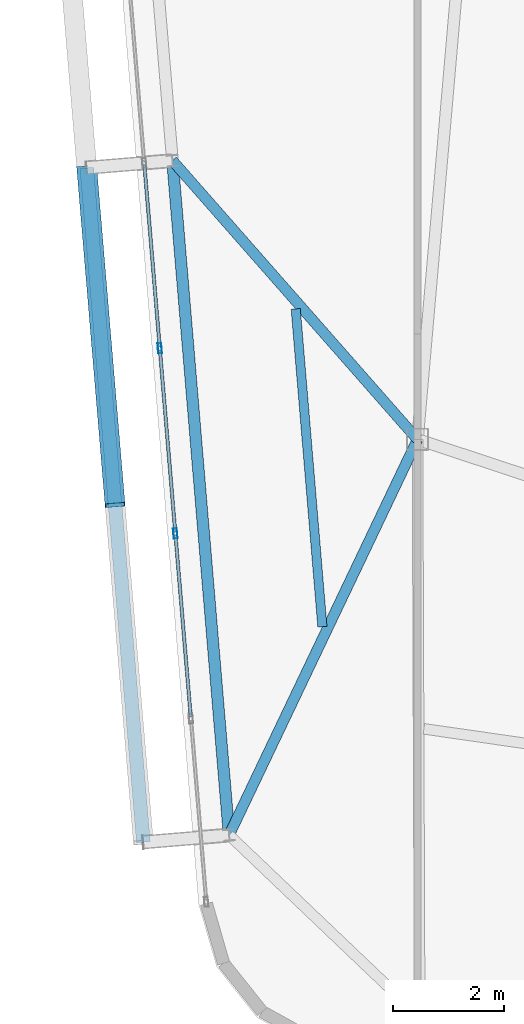
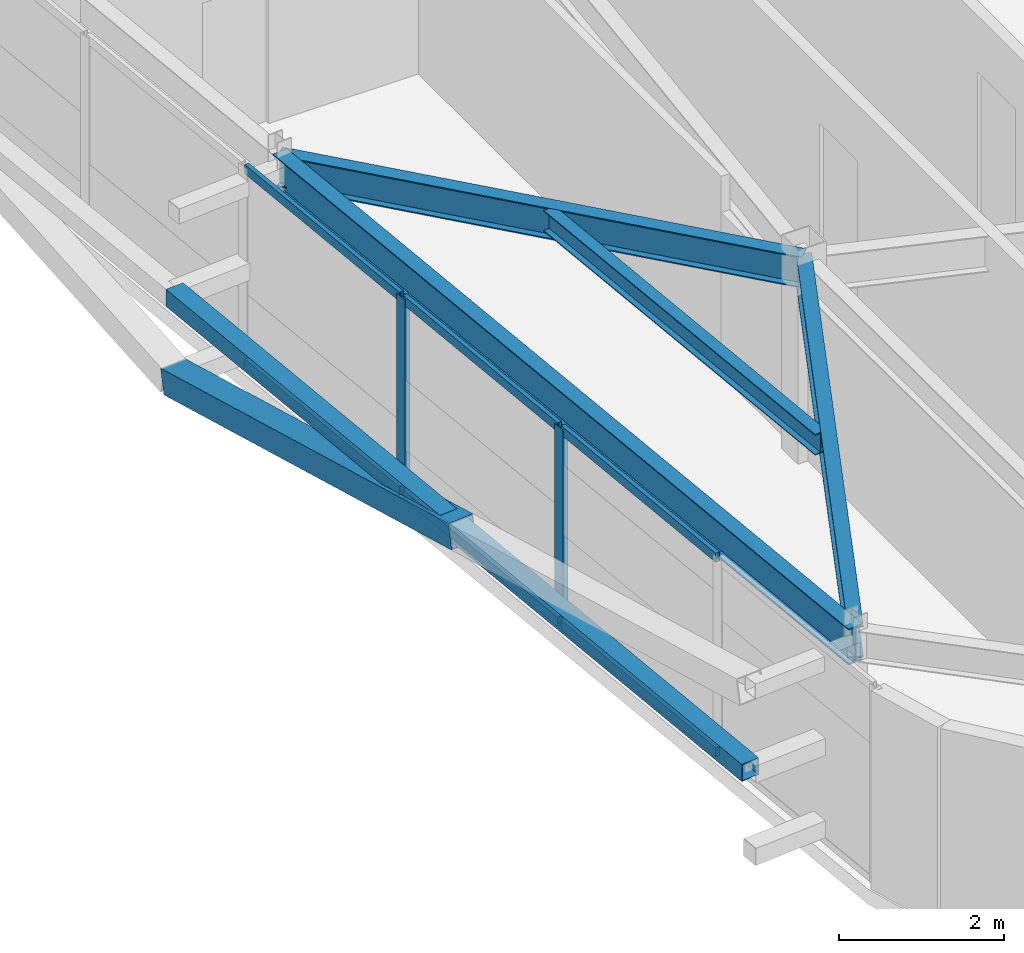
# One storey, part 9 of 46: 10 members, 4 beams, 1 element without a shape of its own.
"""IFC4 building model written with IfcOpenShell, lengths in metres."""

from ifc_helpers import new_model, si_unit, direction, frame, origin, origin_2d, place, context, subcontext, project, spatial, hollow_rectangle, i_section, extrude, source, transform, mapped, material, layer, layer_set, material_profile, profile_set, type_object, element, aggregate, save


model = new_model("IFC4")

# Units and contexts
model_context = context("Model", 3, precision=1e-05, world=origin(), true_north=direction((0.0, 1.0)))
body_context = subcontext(model_context, "Body", "Model", "MODEL_VIEW")
ifc_project = project(units=[si_unit("LENGTHUNIT", "METRE"), si_unit("AREAUNIT", "SQUARE_METRE"), si_unit("VOLUMEUNIT", "CUBIC_METRE"), si_unit("PLANEANGLEUNIT", "RADIAN"), si_unit("MASSUNIT", "GRAM", prefix="KILO")], contexts=[model_context])

# Site, building, storey
site_placement = place(None, origin())
site = spatial("IfcSite", under=ifc_project, at=site_placement, CompositionType="ELEMENT")
building_placement = place(site_placement, origin())
building = spatial("IfcBuilding", under=site, at=building_placement, Name="Taldren Reach Tower", CompositionType="ELEMENT")
storey_placement = place(building_placement, frame((0.0, 0.0, 194.60009765625)))
storey = spatial("IfcBuildingStorey", under=building, at=storey_placement, Name="L59", CompositionType="ELEMENT", Elevation=194.60009765625)

# Beams
ifc_material_1 = material(Name="Steel Gr 350 (350PLUS)", Category="steel")
ifc_material_profile_1 = material_profile(ifc_material_1, i_section(OverallWidth=0.208984375, OverallDepth=0.528076171875, WebThickness=0.009521484375, FlangeThickness=0.01318359375, at=origin_2d()), Name="530UB82.0")
ifc_profile_set_1 = profile_set([ifc_material_profile_1], Name="Steel Gr 350 (350PLUS)")
beam_type_1 = type_object("IfcBeamType", Name="SP-UB530B", PredefinedType="SPANDREL", material=ifc_profile_set_1)
shared_shape_1 = source(origin(), body_context, "Body", "SweptSolid", [
    extrude(i_section(OverallWidth=0.208984375, OverallDepth=0.528076171875, WebThickness=0.009521484375, FlangeThickness=0.01318359375, at=origin_2d()), origin(), (0.0, 0.0, 1.0), 12.199951171875),
])
beam_1_placement = place(storey_placement, frame((13.582763671875, 17.525146484375, 2.666015625), z_axis=(0.083688038336, -0.996492003099, 0.0), x_axis=(0.996492003099, 0.083688038336, 0.0)))
element("IfcBeam", 1, at=beam_1_placement, inside=storey, type_object=beam_type_1, Name="Perimeter spandrel B4 W2-W1 L59", PredefinedType="SPANDREL", context=body_context, shape_type="MappedRepresentation", body=[
    mapped(shared_shape_1, transform((0.0, 0.0, 0.0), scale=1.0)),
])
ifc_material_profile_2 = material_profile(ifc_material_1, i_section(OverallWidth=0.19091796875, OverallDepth=0.4599609375, WebThickness=0.010009765625, FlangeThickness=0.01611328125, at=origin_2d()), Name="460UB82.1")
ifc_profile_set_2 = profile_set([ifc_material_profile_2], Name="Steel Gr 350 (350PLUS)")
beam_type_2 = type_object("IfcBeamType", Name="BM-UB460A", PredefinedType="BEAM", material=ifc_profile_set_2)
shared_shape_2 = source(origin(), body_context, "Body", "SweptSolid", [
    extrude(i_section(OverallWidth=0.19091796875, OverallDepth=0.4599609375, WebThickness=0.010009765625, FlangeThickness=0.01611328125, at=origin_2d()), origin(), (0.0, 0.0, 1.0), 6.690673828125),
])
beam_2_placement = place(storey_placement, frame((18.0, 12.5, 2.699951171875), z_axis=(-0.660215677485, 0.751076067521, 0.0), x_axis=(-0.751076067521, -0.660215677485, 0.0)))
element("IfcBeam", 2, at=beam_2_placement, inside=storey, type_object=beam_type_2, Name="Primary floor girder B4-W2 L59", PredefinedType="BEAM", context=body_context, shape_type="MappedRepresentation", body=[
    mapped(shared_shape_2, transform((0.0, 0.0, 0.0), scale=1.0)),
])
shared_shape_3 = source(origin(), body_context, "Body", "SweptSolid", [
    extrude(i_section(OverallWidth=0.19091796875, OverallDepth=0.4599609375, WebThickness=0.010009765625, FlangeThickness=0.01611328125, at=origin_2d()), origin(), (0.0, 0.0, 1.0), 7.8994140625),
])
beam_3_placement = place(storey_placement, frame((18.0, 12.5, 2.699951171875), z_axis=(-0.429934780074, -0.902859947546, 0.0), x_axis=(0.902859947546, -0.429934780074, 0.0)))
element("IfcBeam", 3, at=beam_3_placement, inside=storey, type_object=beam_type_2, Name="Primary floor girder B4-W1 L59", PredefinedType="BEAM", context=body_context, shape_type="MappedRepresentation", body=[
    mapped(shared_shape_3, transform((0.0, 0.0, 0.0), scale=1.0)),
])
ifc_material_2 = material(Name="Steel Gr 300 (300PLUS, 300 MPa)", Category="steel")
ifc_material_profile_3 = material_profile(ifc_material_2, i_section(OverallWidth=0.166015625, OverallDepth=0.306884765625, WebThickness=0.006591796875, FlangeThickness=0.01171875, at=origin_2d()), Name="310UB46.2")
ifc_profile_set_3 = profile_set([ifc_material_profile_3], Name="Steel Gr 300 (300PLUS, 300 MPa)")
beam_type_3 = type_object("IfcBeamType", Name="JS-UB310", PredefinedType="JOIST", material=ifc_profile_set_3)
shared_shape_4 = source(origin(), body_context, "Body", "SweptSolid", [
    extrude(i_section(OverallWidth=0.166015625, OverallDepth=0.306884765625, WebThickness=0.006591796875, FlangeThickness=0.01171875, at=origin_2d()), origin(), (0.0, 0.0, 1.0), 5.750244140625),
])
beam_4_placement = place(storey_placement, frame((16.285888671875, 9.122802734375, 2.7763671875), z_axis=(-0.083642808993, 0.996495800545, 0.0), x_axis=(-0.996495800545, -0.083642808993, 0.0)))
element("IfcBeam", 4, at=beam_4_placement, inside=storey, type_object=beam_type_3, Name="Secondary floor joist B4 J6 L59", PredefinedType="JOIST", context=body_context, shape_type="MappedRepresentation", body=[
    mapped(shared_shape_4, transform((0.0, 0.0, 0.0), scale=1.0)),
])

# Members
ifc_material_3 = material(Name="Steel Gr 350 (C350L0)", Category="steel")
ifc_material_profile_4 = material_profile(ifc_material_3, hollow_rectangle(XDim=0.25, YDim=0.25, WallThickness=0.010009765625, at=origin_2d()), Name="250x250x10.0SHS")
ifc_profile_set_4 = profile_set([ifc_material_profile_4], Name="Steel Gr 350 (C350L0)")
member_type_1 = type_object("IfcMemberType", Name="MB-POST250", PredefinedType="POST", material=ifc_profile_set_4)
shared_shape_5 = source(origin(), body_context, "Body", "SweptSolid", [
    extrude(hollow_rectangle(XDim=0.25, YDim=0.25, WallThickness=0.010009765625, at=origin_2d()), origin(), (0.0, 0.0, 1.0), 12.199951171875),
])
member_1_placement = place(storey_placement, frame((13.05908203125, 5.23828125, 1.434814453125), z_axis=(-0.083688038336, 0.996492003099, 0.0), x_axis=(-0.996492003099, -0.083688038336, 0.0)))
element("IfcMember", 5, at=member_1_placement, inside=storey, type_object=member_type_1, Name="Exoskeleton mid-height ring chord B4-W1 L59", PredefinedType="POST", context=body_context, shape_type="MappedRepresentation", body=[
    mapped(shared_shape_5, transform((0.0, 0.0, 0.0), scale=1.0)),
])
ifc_material_4 = material(Name="Steel Gr 450 (C450L0)", Category="steel")
ifc_material_profile_5 = material_profile(ifc_material_4, hollow_rectangle(XDim=0.360107421875, YDim=0.360107421875, WallThickness=0.0126953125, at=origin_2d()), Name="360x360x12.7SHS")
ifc_profile_set_5 = profile_set([ifc_material_profile_5], Name="Steel Gr 450 (C450L0)")
member_type_2 = type_object("IfcMemberType", Name="MB-EXO356", PredefinedType="BRACE", material=ifc_profile_set_5)
shared_shape_6 = source(origin(), body_context, "Body", "SweptSolid", [
    extrude(hollow_rectangle(XDim=0.360107421875, YDim=0.360107421875, WallThickness=0.0126953125, at=origin_2d()), origin(), (0.0, 0.0, 1.0), 6.2197265625),
])
member_2_placement = place(storey_placement, frame((12.0380859375, 17.3955078125, 0.219970703125), z_axis=(0.082076194186, -0.977299417909, 0.19531857593), x_axis=(0.996492003099, 0.083688038336, 0.0)))
element("IfcMember", 6, at=member_2_placement, inside=storey, type_object=member_type_2, Name="Exoskeleton Diagrid Brace B4-W1 L59", PredefinedType="BRACE", context=body_context, shape_type="MappedRepresentation", body=[
    mapped(shared_shape_6, transform((0.0, 0.0, 0.0), scale=1.0)),
])

# Curtain wall, members
ifc_material_5 = material(Name="Aluminium and Low-E Glass Unitised System", Category="aluminium")
ifc_layer = layer(ifc_material_5, 0.159912109375)
ifc_layer_set = layer_set([ifc_layer], Name="Aluminium and Low-E Glass Unitised System")
curtain_wall_type = type_object("IfcCurtainWallType", Name="CW-SYS-5", PredefinedType="NOTDEFINED", material=ifc_layer_set)
curtain_wall_placement = place(storey_placement, origin())
curtain_wall = element("IfcCurtainWall", 7, at=curtain_wall_placement, inside=storey, type_object=curtain_wall_type, Name="Unitised curtain wall CW-L59-W", PredefinedType="NOTDEFINED")
ifc_material_6 = material(Name="Anodised Aluminium 6063-T6", Category="aluminium")
ifc_material_profile_6 = material_profile(ifc_material_6, hollow_rectangle(XDim=0.070068359375, YDim=0.179931640625, WallThickness=0.00390625, at=origin_2d()), Name="ALU-180x70x4RHS")
ifc_profile_set_6 = profile_set([ifc_material_profile_6], Name="Anodised Aluminium 6063-T6")
member_type_3 = type_object("IfcMemberType", Name="CW-MUL-180", PredefinedType="MULLION", material=ifc_profile_set_6)
shared_shape_7 = source(origin(), body_context, "Body", "SweptSolid", [
    extrude(hollow_rectangle(XDim=0.070068359375, YDim=0.179931640625, WallThickness=0.00390625, at=origin_2d()), origin(), (0.0, 0.0, 1.0), 2.929931640625),
])
member_3_placement = place(storey_placement, frame((13.35498046875, 14.144287109375, 0.0), z_axis=(0.0, 0.0, 1.0), x_axis=(0.996492847789, 0.083677979808, 0.0)))
member_3 = element("IfcMember", 8, at=member_3_placement, type_object=member_type_3, Name="CW-5 mullion 6", PredefinedType="MULLION", context=body_context, shape_type="MappedRepresentation", body=[
    mapped(shared_shape_7, transform((0.0, 0.0, 0.0), scale=1.0)),
])
member_4_placement = place(storey_placement, frame((13.63525390625, 10.805908203125, 0.0), z_axis=(0.0, 0.0, 1.0), x_axis=(0.996492847789, 0.083677979808, 0.0)))
member_4 = element("IfcMember", 9, at=member_4_placement, type_object=member_type_3, Name="CW-5 mullion 7", PredefinedType="MULLION", context=body_context, shape_type="MappedRepresentation", body=[
    mapped(shared_shape_7, transform((0.0, 0.0, 0.0), scale=1.0)),
])
ifc_material_profile_7 = material_profile(ifc_material_6, hollow_rectangle(XDim=0.06005859375, YDim=0.135009765625, WallThickness=0.00341796875, at=origin_2d()), Name="ALU-135x60x3.5RHS")
ifc_profile_set_7 = profile_set([ifc_material_profile_7], Name="Anodised Aluminium 6063-T6")
member_type_4 = type_object("IfcMemberType", Name="CW-TRN-150", PredefinedType="USERDEFINED", material=ifc_profile_set_7)
shared_shape_8 = source(origin(), body_context, "Body", "SweptSolid", [
    extrude(hollow_rectangle(XDim=0.06005859375, YDim=0.135009765625, WallThickness=0.00341796875, at=origin_2d()), origin(), (0.0, 0.0, 1.0), 3.280029296875),
])
member_5_placement = place(storey_placement, frame((13.077392578125, 17.44775390625, 0.02978515625), z_axis=(0.083735362341, -0.996488027572, 0.0), x_axis=(0.996488027572, 0.083735362341, 0.0)))
member_5 = element("IfcMember", 10, at=member_5_placement, type_object=member_type_4, Name="CW-5 transom 5.1", ObjectType="TRANSOM", PredefinedType="USERDEFINED", context=body_context, shape_type="MappedRepresentation", body=[
    mapped(shared_shape_8, transform((0.0, 0.0, 0.0), scale=1.0)),
])
member_6_placement = place(storey_placement, frame((13.077392578125, 17.44775390625, 2.89990234375), z_axis=(0.083735362341, -0.996488027572, 0.0), x_axis=(0.996488027572, 0.083735362341, 0.0)))
member_6 = element("IfcMember", 11, at=member_6_placement, type_object=member_type_4, Name="CW-5 transom 5.2", ObjectType="TRANSOM", PredefinedType="USERDEFINED", context=body_context, shape_type="MappedRepresentation", body=[
    mapped(shared_shape_8, transform((0.0, 0.0, 0.0), scale=1.0)),
])
member_7_placement = place(storey_placement, frame((13.35791015625, 14.109375, 0.02978515625), z_axis=(0.083661452101, -0.996494235524, 0.0), x_axis=(0.996494235524, 0.083661452101, 0.0)))
member_7 = element("IfcMember", 12, at=member_7_placement, type_object=member_type_4, Name="CW-5 transom 6.1", ObjectType="TRANSOM", PredefinedType="USERDEFINED", context=body_context, shape_type="MappedRepresentation", body=[
    mapped(shared_shape_8, transform((0.0, 0.0, 0.0), scale=1.0)),
])
member_8_placement = place(storey_placement, frame((13.35791015625, 14.109375, 2.89990234375), z_axis=(0.083661452101, -0.996494235524, 0.0), x_axis=(0.996494235524, 0.083661452101, 0.0)))
member_8 = element("IfcMember", 13, at=member_8_placement, type_object=member_type_4, Name="CW-5 transom 6.2", ObjectType="TRANSOM", PredefinedType="USERDEFINED", context=body_context, shape_type="MappedRepresentation", body=[
    mapped(shared_shape_8, transform((0.0, 0.0, 0.0), scale=1.0)),
])
member_9_placement = place(storey_placement, frame((13.63818359375, 10.771240234375, 0.02978515625), z_axis=(0.083661452101, -0.996494235524, 0.0), x_axis=(0.996494235524, 0.083661452101, 0.0)))
member_9 = element("IfcMember", 14, at=member_9_placement, type_object=member_type_4, Name="CW-5 transom 7.1", ObjectType="TRANSOM", PredefinedType="USERDEFINED", context=body_context, shape_type="MappedRepresentation", body=[
    mapped(shared_shape_8, transform((0.0, 0.0, 0.0), scale=1.0)),
])
member_10_placement = place(storey_placement, frame((13.63818359375, 10.771240234375, 2.89990234375), z_axis=(0.083661452101, -0.996494235524, 0.0), x_axis=(0.996494235524, 0.083661452101, 0.0)))
member_10 = element("IfcMember", 15, at=member_10_placement, type_object=member_type_4, Name="CW-5 transom 7.2", ObjectType="TRANSOM", PredefinedType="USERDEFINED", context=body_context, shape_type="MappedRepresentation", body=[
    mapped(shared_shape_8, transform((0.0, 0.0, 0.0), scale=1.0)),
])
aggregate(curtain_wall, [member_3, member_4, member_5, member_6, member_7, member_8, member_9, member_10])

save(model, "model.ifc")
